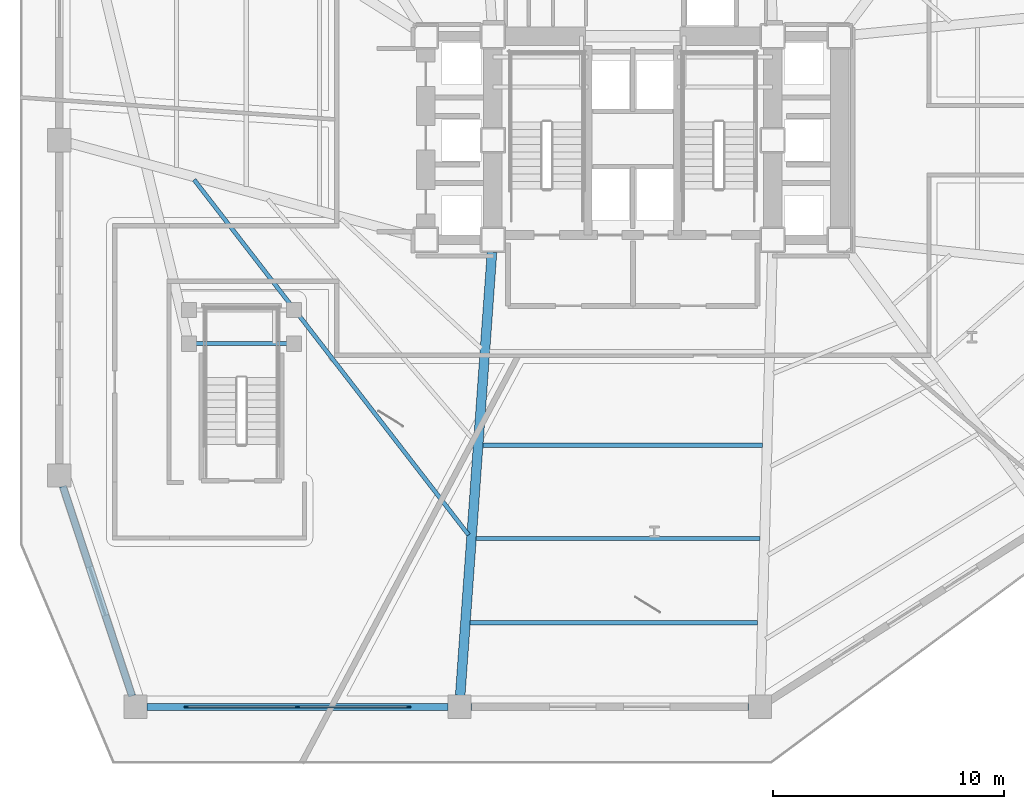
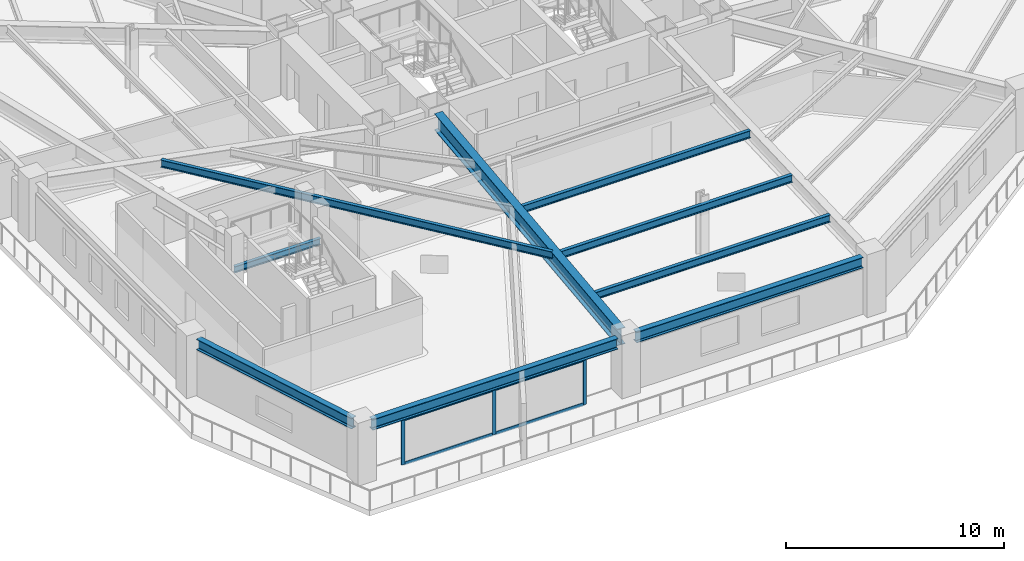
# One storey, part 2 of 12: 9 beams, 7 members, 1 element without a shape of its own.
"""IFC4 building model written with IfcOpenShell, lengths in metres."""

from ifc_helpers import new_model, si_unit, direction, frame, origin, origin_2d, place, context, subcontext, project, spatial, rectangle, i_section, extrude, material, layer, layer_set, material_profile, profile_set, type_object, element, aggregate, save


model = new_model("IFC4")

# Units and contexts
model_context = context("Model", 3, precision=1e-05, world=origin(), true_north=direction((0.0, 1.0)))
body_context = subcontext(model_context, "Body", "Model", "MODEL_VIEW")
ifc_project = project(units=[si_unit("LENGTHUNIT", "METRE"), si_unit("AREAUNIT", "SQUARE_METRE"), si_unit("VOLUMEUNIT", "CUBIC_METRE"), si_unit("PLANEANGLEUNIT", "RADIAN"), si_unit("MASSUNIT", "GRAM", prefix="KILO")], contexts=[model_context])

# Site, building, storey
site_placement = place(None, origin())
site = spatial("IfcSite", under=ifc_project, at=site_placement, CompositionType="ELEMENT")
building_placement = place(site_placement, origin())
building = spatial("IfcBuilding", under=site, at=building_placement, Name="Rocaltana Carrier Exchange", CompositionType="ELEMENT")
storey_placement = place(building_placement, frame((0.0, 0.0, 11.840087890625)))
storey = spatial("IfcBuildingStorey", under=building, at=storey_placement, Name="L04", CompositionType="ELEMENT", Elevation=11.840087890625)

# Curtain wall, members
ifc_material_1 = material(Name="Aluminium 6063-T6", Category="aluminium")
ifc_layer = layer(ifc_material_1, 0.179931640625)
ifc_layer_set = layer_set([ifc_layer], Name="Aluminium 6063-T6")
curtain_wall_type = type_object("IfcCurtainWallType", Name="Sandstone Spandrel Unitised Curtain Wall CW-01", PredefinedType="NOTDEFINED", material=ifc_layer_set)
curtain_wall_placement = place(storey_placement, origin())
curtain_wall = element("IfcCurtainWall", 1, at=curtain_wall_placement, inside=storey, type_object=curtain_wall_type, Name="L04 CW-01 Run CW01-POD-L04-B01", PredefinedType="NOTDEFINED")
ifc_material_2 = material(Name="Aluminium 6063-T6", Category="aluminium")
ifc_material_profile_1 = material_profile(ifc_material_2, rectangle(XDim=0.06494140625, YDim=0.179931640625, at=origin_2d()), Name="AL-65X180")
ifc_profile_set_1 = profile_set([ifc_material_profile_1], Name="Aluminium 6063-T6")
member_type_1 = type_object("IfcMemberType", Name="CW-01 Mullion AL-65X180", PredefinedType="MULLION", material=ifc_profile_set_1)
member_1_placement = place(storey_placement, frame((-9.6826171875, -24.5, 0.0), z_axis=(0.0, 0.0, 1.0), x_axis=(0.0, -1.0, 0.0)))
member_1 = element("IfcMember", 2, at=member_1_placement, type_object=member_type_1, Name="CW-01 mullion 1", PredefinedType="MULLION", context=body_context, shape_type="SweptSolid", body=[
    extrude(rectangle(XDim=0.06494140625, YDim=0.179931640625, at=origin_2d()), origin(), (0.0, 0.0, 1.0), 2.5478515625),
])
member_2_placement = place(storey_placement, frame((-14.5, -24.5, 0.0), z_axis=(0.0, 0.0, 1.0), x_axis=(0.0, -1.0, 0.0)))
member_2 = element("IfcMember", 3, at=member_2_placement, type_object=member_type_1, Name="CW-01 mullion 2", PredefinedType="MULLION", context=body_context, shape_type="SweptSolid", body=[
    extrude(rectangle(XDim=0.06494140625, YDim=0.179931640625, at=origin_2d()), origin(), (0.0, 0.0, 1.0), 2.5478515625),
])
member_3_placement = place(storey_placement, frame((-19.3173828125, -24.5, 0.0), z_axis=(0.0, 0.0, 1.0), x_axis=(0.0, -1.0, 0.0)))
member_3 = element("IfcMember", 4, at=member_3_placement, type_object=member_type_1, Name="CW-01 mullion 3", PredefinedType="MULLION", context=body_context, shape_type="SweptSolid", body=[
    extrude(rectangle(XDim=0.06494140625, YDim=0.179931640625, at=origin_2d()), origin(), (0.0, 0.0, 1.0), 2.5478515625),
])
ifc_material_3 = material(Name="Aluminium 6063-T6", Category="aluminium")
ifc_material_profile_2 = material_profile(ifc_material_3, rectangle(XDim=0.06494140625, YDim=0.179931640625, at=origin_2d()), Name="AL-65X180")
ifc_profile_set_2 = profile_set([ifc_material_profile_2], Name="Aluminium 6063-T6")
member_type_2 = type_object("IfcMemberType", Name="CW-01 Transom AL-65X180", PredefinedType="USERDEFINED", material=ifc_profile_set_2)
member_4_placement = place(storey_placement, frame((-9.715087890625, -24.5, 0.032470703125), z_axis=(-1.0, 0.0, 0.0), x_axis=(0.0, -1.0, 0.0)))
member_4 = element("IfcMember", 5, at=member_4_placement, type_object=member_type_2, Name="CW-01 transom 1.1", ObjectType="TRANSOM", PredefinedType="USERDEFINED", context=body_context, shape_type="SweptSolid", body=[
    extrude(rectangle(XDim=0.06494140625, YDim=0.179931640625, at=origin_2d()), origin(), (0.0, 0.0, 1.0), 4.75244140625),
])
member_5_placement = place(storey_placement, frame((-9.715087890625, -24.5, 2.515380859375), z_axis=(-1.0, 0.0, 0.0), x_axis=(0.0, -1.0, 0.0)))
member_5 = element("IfcMember", 6, at=member_5_placement, type_object=member_type_2, Name="CW-01 transom 1.2", ObjectType="TRANSOM", PredefinedType="USERDEFINED", context=body_context, shape_type="SweptSolid", body=[
    extrude(rectangle(XDim=0.06494140625, YDim=0.179931640625, at=origin_2d()), origin(), (0.0, 0.0, 1.0), 4.75244140625),
])
member_6_placement = place(storey_placement, frame((-14.532470703125, -24.5, 0.032470703125), z_axis=(-1.0, 0.0, 0.0), x_axis=(0.0, -1.0, 0.0)))
member_6 = element("IfcMember", 7, at=member_6_placement, type_object=member_type_2, Name="CW-01 transom 2.1", ObjectType="TRANSOM", PredefinedType="USERDEFINED", context=body_context, shape_type="SweptSolid", body=[
    extrude(rectangle(XDim=0.06494140625, YDim=0.179931640625, at=origin_2d()), origin(), (0.0, 0.0, 1.0), 4.75244140625),
])
member_7_placement = place(storey_placement, frame((-14.532470703125, -24.5, 2.515380859375), z_axis=(-1.0, 0.0, 0.0), x_axis=(0.0, -1.0, 0.0)))
member_7 = element("IfcMember", 8, at=member_7_placement, type_object=member_type_2, Name="CW-01 transom 2.2", ObjectType="TRANSOM", PredefinedType="USERDEFINED", context=body_context, shape_type="SweptSolid", body=[
    extrude(rectangle(XDim=0.06494140625, YDim=0.179931640625, at=origin_2d()), origin(), (0.0, 0.0, 1.0), 4.75244140625),
])
aggregate(curtain_wall, [member_1, member_2, member_3, member_4, member_5, member_6, member_7])

# Beams
ifc_material_4 = material(Name="Steel S355", Category="steel")
ifc_material_profile_3 = material_profile(ifc_material_4, i_section(OverallWidth=0.172119140625, OverallDepth=0.35791015625, WebThickness=0.0078125, FlangeThickness=0.01318359375, FilletRadius=0.011962890625, at=origin_2d()), Name="W14X38")
ifc_profile_set_3 = profile_set([ifc_material_profile_3], Name="Steel S355")
beam_type_1 = type_object("IfcBeamType", Name="Floor Joist W14X38", PredefinedType="JOIST", material=ifc_profile_set_3)
beam_1_placement = place(storey_placement, frame((-19.199951171875, -8.800048828125, 1.380859375), z_axis=(1.0, 0.0, 0.0), x_axis=(0.0, 1.0, 0.0)))
element("IfcBeam", 9, at=beam_1_placement, inside=storey, type_object=beam_type_1, Name="L04 ST-3 South Landing Carrier", PredefinedType="JOIST", context=body_context, shape_type="SweptSolid", body=[
    extrude(i_section(OverallWidth=0.172119140625, OverallDepth=0.35791015625, WebThickness=0.0078125, FlangeThickness=0.01318359375, FilletRadius=0.011962890625, at=origin_2d()), origin(), (0.0, 0.0, 1.0), 4.550048828125),
])
ifc_material_5 = material(Name="Steel S355", Category="steel")
ifc_material_profile_4 = material_profile(ifc_material_5, i_section(OverallWidth=0.179931640625, OverallDepth=0.4130859375, WebThickness=0.009765625, FlangeThickness=0.01611328125, FilletRadius=0.012939453125, at=origin_2d()), Name="W16X50")
ifc_profile_set_4 = profile_set([ifc_material_profile_4], Name="Steel S355")
beam_type_2 = type_object("IfcBeamType", Name="Floor Joist W16X50", PredefinedType="JOIST", material=ifc_profile_set_4)
beam_2_placement = place(storey_placement, frame((-6.485107421875, -13.18798828125, 2.971435546875), z_axis=(1.0, 0.0, 0.0), x_axis=(0.0, 1.0, 0.0)))
element("IfcBeam", 10, at=beam_2_placement, inside=storey, type_object=beam_type_2, Name="FJ-POD-01-2-L04", PredefinedType="JOIST", context=body_context, shape_type="SweptSolid", body=[
    extrude(i_section(OverallWidth=0.179931640625, OverallDepth=0.4130859375, WebThickness=0.009765625, FlangeThickness=0.01611328125, FilletRadius=0.012939453125, at=origin_2d()), origin(), (0.0, 0.0, 1.0), 12.090087890625),
])
beam_3_placement = place(storey_placement, frame((-6.77490234375, -17.22802734375, 2.971435546875), z_axis=(1.0, 0.0, 0.0), x_axis=(0.0, 1.0, 0.0)))
element("IfcBeam", 11, at=beam_3_placement, inside=storey, type_object=beam_type_2, Name="FJ-POD-01-3-L04", PredefinedType="JOIST", context=body_context, shape_type="SweptSolid", body=[
    extrude(i_section(OverallWidth=0.179931640625, OverallDepth=0.4130859375, WebThickness=0.009765625, FlangeThickness=0.01611328125, FilletRadius=0.012939453125, at=origin_2d()), origin(), (0.0, 0.0, 1.0), 12.27001953125),
])
beam_4_placement = place(storey_placement, frame((-7.035888671875, -20.864013671875, 2.971435546875), z_axis=(1.0, 0.0, 0.0), x_axis=(0.0, 1.0, 0.0)))
element("IfcBeam", 12, at=beam_4_placement, inside=storey, type_object=beam_type_2, Name="FJ-POD-01-4-L04", PredefinedType="JOIST", context=body_context, shape_type="SweptSolid", body=[
    extrude(i_section(OverallWidth=0.179931640625, OverallDepth=0.4130859375, WebThickness=0.009765625, FlangeThickness=0.01611328125, FilletRadius=0.012939453125, at=origin_2d()), origin(), (0.0, 0.0, 1.0), 12.431884765625),
])
beam_5_placement = place(storey_placement, frame((-18.969970703125, -1.70849609375, 2.971435546875), z_axis=(0.611437477542, -0.791292746748, 0.0), x_axis=(0.791292746748, 0.611437477542, 0.0)))
element("IfcBeam", 13, at=beam_5_placement, inside=storey, type_object=beam_type_2, Name="FJ-POD-11-3-L04", PredefinedType="JOIST", context=body_context, shape_type="SweptSolid", body=[
    extrude(i_section(OverallWidth=0.179931640625, OverallDepth=0.4130859375, WebThickness=0.009765625, FlangeThickness=0.01611328125, FilletRadius=0.012939453125, at=origin_2d()), origin(), (0.0, 0.0, 1.0), 19.409912109375),
])
ifc_material_6 = material(Name="Steel S355", Category="steel")
ifc_material_profile_5 = material_profile(ifc_material_6, i_section(OverallWidth=0.41796875, OverallDepth=0.927001953125, WebThickness=0.019287109375, FlangeThickness=0.031982421875, FilletRadius=0.02197265625, at=origin_2d()), Name="W36X231")
ifc_profile_set_5 = profile_set([ifc_material_profile_5], Name="Steel S355")
beam_type_3 = type_object("IfcBeamType", Name="Heavy Floor Girder W36X231", PredefinedType="BEAM", material=ifc_profile_set_5)
beam_6_placement = place(storey_placement, frame((-6.0888671875, -4.840576171875, 2.71435546875), z_axis=(-0.071598236064, -0.997433552971, 0.0), x_axis=(0.997433552971, -0.071598236064, 0.0)))
element("IfcBeam", 14, at=beam_6_placement, inside=storey, type_object=beam_type_3, Name="BM-PODG-02-L04", PredefinedType="BEAM", context=body_context, shape_type="SweptSolid", body=[
    extrude(i_section(OverallWidth=0.41796875, OverallDepth=0.927001953125, WebThickness=0.019287109375, FlangeThickness=0.031982421875, FilletRadius=0.02197265625, at=origin_2d()), origin(), (0.0, 0.0, 1.0), 19.218017578125),
])
ifc_material_7 = material(Name="Steel S355", Category="steel")
ifc_material_profile_6 = material_profile(ifc_material_7, i_section(OverallWidth=0.300048828125, OverallDepth=0.60009765625, WebThickness=0.015380859375, FlangeThickness=0.030029296875, FilletRadius=0.027099609375, at=origin_2d()), Name="HEB600")
ifc_profile_set_6 = profile_set([ifc_material_profile_6], Name="Steel S355")
beam_type_4 = type_object("IfcBeamType", Name="Spandrel Edge Beam HEB600", PredefinedType="SPANDREL", material=ifc_profile_set_6)
beam_7_placement = place(storey_placement, frame((-21.008056640625, -24.5, 2.8779296875), z_axis=(1.0, 0.0, 0.0), x_axis=(0.0, 1.0, 0.0)))
element("IfcBeam", 15, at=beam_7_placement, inside=storey, type_object=beam_type_4, Name="BM-PODR-01-L04", PredefinedType="SPANDREL", context=body_context, shape_type="SweptSolid", body=[
    extrude(i_section(OverallWidth=0.300048828125, OverallDepth=0.60009765625, WebThickness=0.015380859375, FlangeThickness=0.030029296875, FilletRadius=0.027099609375, at=origin_2d()), origin(), (0.0, 0.0, 1.0), 13.01611328125),
])
beam_8_placement = place(storey_placement, frame((-7.008056640625, -24.5, 2.8779296875), z_axis=(1.0, 0.0, 0.0), x_axis=(0.0, 1.0, 0.0)))
element("IfcBeam", 16, at=beam_8_placement, inside=storey, type_object=beam_type_4, Name="BM-PODR-02-L04", PredefinedType="SPANDREL", context=body_context, shape_type="SweptSolid", body=[
    extrude(i_section(OverallWidth=0.300048828125, OverallDepth=0.60009765625, WebThickness=0.015380859375, FlangeThickness=0.030029296875, FilletRadius=0.027099609375, at=origin_2d()), origin(), (0.0, 0.0, 1.0), 12.01611328125),
])
beam_9_placement = place(storey_placement, frame((-24.645751953125, -14.96728515625, 2.8779296875), z_axis=(0.313364538918, -0.94963291105, 0.0), x_axis=(0.94963291105, 0.313364538918, 0.0)))
element("IfcBeam", 17, at=beam_9_placement, inside=storey, type_object=beam_type_4, Name="BM-PODR-13-L04", PredefinedType="SPANDREL", context=body_context, shape_type="SweptSolid", body=[
    extrude(i_section(OverallWidth=0.300048828125, OverallDepth=0.60009765625, WebThickness=0.015380859375, FlangeThickness=0.030029296875, FilletRadius=0.027099609375, at=origin_2d()), origin(), (0.0, 0.0, 1.0), 9.546142578125),
])

save(model, "model.ifc")
